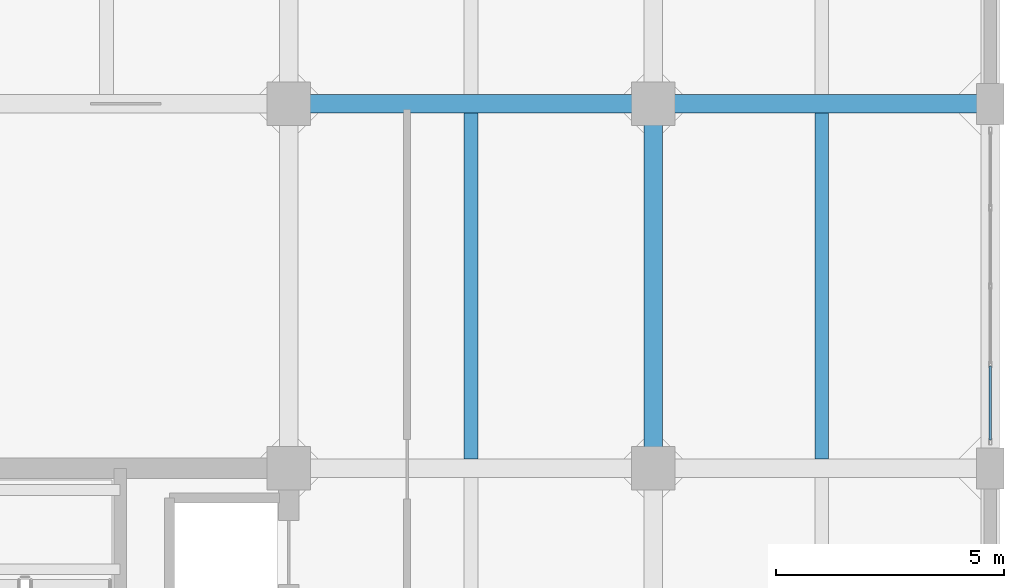
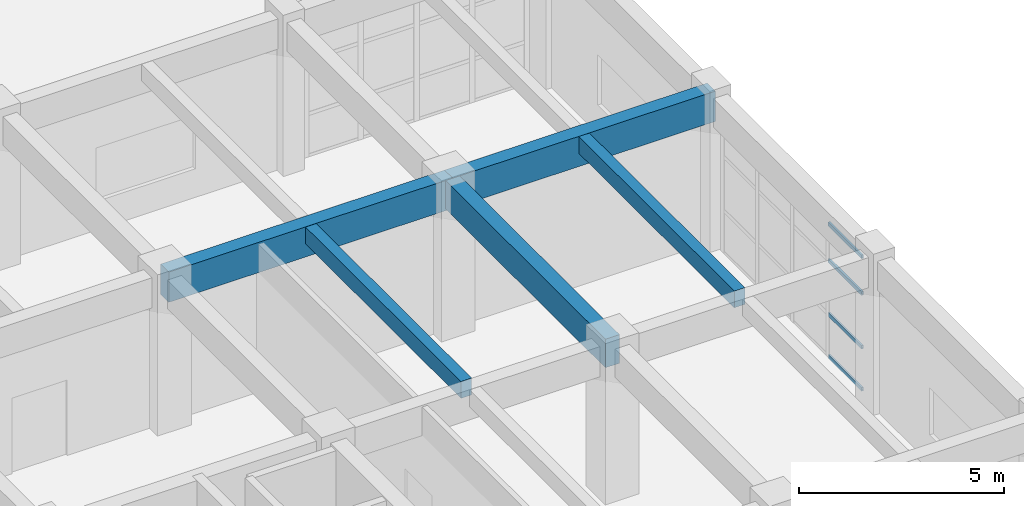
# One storey, part 37 of 63: 5 beams, 4 members, 1 element without a shape of its own.
"""IFC4 building model written with IfcOpenShell, lengths in metres."""

from ifc_helpers import new_model, si_unit, direction, frame, origin, origin_2d, place, context, subcontext, project, spatial, rectangle, hollow_rectangle, extrude, material, layer, layer_set, material_profile, profile_set, type_object, element, aggregate, save


model = new_model("IFC4")

# Units and contexts
model_context = context("Model", 3, precision=1e-05, world=origin(), true_north=direction((0.0, 1.0)))
body_context = subcontext(model_context, "Body", "Model", "MODEL_VIEW")
ifc_project = project(units=[si_unit("LENGTHUNIT", "METRE"), si_unit("AREAUNIT", "SQUARE_METRE"), si_unit("VOLUMEUNIT", "CUBIC_METRE"), si_unit("PLANEANGLEUNIT", "RADIAN"), si_unit("MASSUNIT", "GRAM", prefix="KILO")], contexts=[model_context])

# Site, building, storey
site_placement = place(None, origin())
site = spatial("IfcSite", under=ifc_project, at=site_placement, CompositionType="ELEMENT")
building_placement = place(site_placement, origin())
building = spatial("IfcBuilding", under=site, at=building_placement, Name="Canggui Botanical Conservatory", CompositionType="ELEMENT")
storey_placement = place(building_placement, frame((0.0, 0.0, 10.199951171875)))
storey = spatial("IfcBuildingStorey", under=building, at=storey_placement, Name="L03", CompositionType="ELEMENT", Elevation=10.199951171875)

# Beams
ifc_material_1 = material(Name="Concrete C35", Category="concrete")
ifc_material_profile_1 = material_profile(ifc_material_1, rectangle(XDim=0.300048828125, YDim=0.5, at=origin_2d()), Name="RB 300x500")
ifc_profile_set_1 = profile_set([ifc_material_profile_1], Name="Concrete C35")
beam_type_1 = type_object("IfcBeamType", Name="BM-JST02", PredefinedType="JOIST", material=ifc_profile_set_1)
for number, where, z_axis, x_axis, name in (
    (1, (166.0, 66.205078125, 4.300048828125), (0.0, 1.0, 0.0), (-1.0, 0.0, 0.0), "Secondary Floor Joist L03-4-6"),
    (2, (173.699951171875, 66.205078125, 4.300048828125), (0.0, 1.0, 0.0), (-1.0, 0.0, 0.0), "Secondary Floor Joist L03-5-6"),
):
    element("IfcBeam", number, at=place(storey_placement, frame(where, z_axis=z_axis, x_axis=x_axis)), inside=storey, type_object=beam_type_1, Name=name, PredefinedType="JOIST", context=body_context, shape_type="SweptSolid", body=[
        extrude(rectangle(XDim=0.300048828125, YDim=0.5, at=origin_2d()), origin(), (0.0, 0.0, 1.0), 7.58984375),
    ])
ifc_material_profile_2 = material_profile(ifc_material_1, rectangle(XDim=0.39990234375, YDim=0.89990234375, at=origin_2d()), Name="RB 400x900")
ifc_profile_set_2 = profile_set([ifc_material_profile_2], Name="Concrete C35")
beam_type_2 = type_object("IfcBeamType", Name="BM-KL07", PredefinedType="BEAM", material=ifc_profile_set_2)
beam_1_placement = place(storey_placement, frame((162.0, 74.0, 4.10009765625), z_axis=(1.0, 0.0, 0.0), x_axis=(0.0, 1.0, 0.0)))
element("IfcBeam", 3, at=beam_1_placement, inside=storey, type_object=beam_type_2, Name="Frame Girder L03 Y74-4", PredefinedType="BEAM", context=body_context, shape_type="SweptSolid", body=[
    extrude(rectangle(XDim=0.39990234375, YDim=0.89990234375, at=origin_2d()), origin(), (0.0, 0.0, 1.0), 8.0),
])
beam_2_placement = place(storey_placement, frame((170.0, 74.0, 4.10009765625), z_axis=(1.0, 0.0, 0.0), x_axis=(0.0, 1.0, 0.0)))
element("IfcBeam", 4, at=beam_2_placement, inside=storey, type_object=beam_type_2, Name="Frame Girder L03 Y74-5", PredefinedType="BEAM", context=body_context, shape_type="SweptSolid", body=[
    extrude(rectangle(XDim=0.39990234375, YDim=0.89990234375, at=origin_2d()), origin(), (0.0, 0.0, 1.0), 7.39990234375),
])
ifc_material_profile_3 = material_profile(ifc_material_1, rectangle(XDim=0.39990234375, YDim=0.85009765625, at=origin_2d()), Name="RB 400x850")
ifc_profile_set_3 = profile_set([ifc_material_profile_3], Name="Concrete C35")
beam_type_3 = type_object("IfcBeamType", Name="BM-KL08", PredefinedType="BEAM", material=ifc_profile_set_3)
beam_3_placement = place(storey_placement, frame((170.0, 66.0, 4.125), z_axis=(0.0, 1.0, 0.0), x_axis=(-1.0, 0.0, 0.0)))
element("IfcBeam", 5, at=beam_3_placement, inside=storey, type_object=beam_type_3, Name="Frame Girder L03 X170-6", PredefinedType="BEAM", context=body_context, shape_type="SweptSolid", body=[
    extrude(rectangle(XDim=0.39990234375, YDim=0.85009765625, at=origin_2d()), origin(), (0.0, 0.0, 1.0), 8.0),
])

# Curtain wall, members
ifc_material_2 = material(Name="Thermally Broken Aluminium", Category="aluminium")
ifc_layer = layer(ifc_material_2, 0.14990234375, Name="Thermally Broken Aluminium", Category="aluminium")
ifc_layer_set = layer_set([ifc_layer], Name="Thermally Broken Aluminium")
curtain_wall_type = type_object("IfcCurtainWallType", Name="CW-UNIT-C", PredefinedType="USERDEFINED", material=ifc_layer_set)
curtain_wall_placement = place(storey_placement, origin())
curtain_wall = element("IfcCurtainWall", 6, at=curtain_wall_placement, inside=storey, type_object=curtain_wall_type, Name="Facade Curtain Wall CW-TWR-L03-21", ObjectType="UNITISED CURTAIN WALL", PredefinedType="USERDEFINED")
ifc_material_profile_4 = material_profile(ifc_material_2, hollow_rectangle(XDim=0.054931640625, YDim=0.110107421875, WallThickness=0.0029296875, at=origin_2d()), Name="CWT 55x110x3")
ifc_profile_set_4 = profile_set([ifc_material_profile_4], Name="Thermally Broken Aluminium")
member_type = type_object("IfcMemberType", Name="CWT-03", PredefinedType="USERDEFINED", material=ifc_profile_set_4)
member_1_placement = place(storey_placement, frame((177.39990234375, 68.25, 0.027587890625), z_axis=(0.0, -1.0, 0.0), x_axis=(1.0, 0.0, 0.0)))
member_1 = element("IfcMember", 7, at=member_1_placement, type_object=member_type, Name="CW-03 transom 4.1", ObjectType="TRANSOM", PredefinedType="USERDEFINED", context=body_context, shape_type="SweptSolid", body=[
    extrude(hollow_rectangle(XDim=0.054931640625, YDim=0.110107421875, WallThickness=0.0029296875, at=origin_2d()), origin(), (0.0, 0.0, 1.0), 1.6298828125),
])
member_2_placement = place(storey_placement, frame((177.39990234375, 68.25, 1.280029296875), z_axis=(0.0, -1.0, 0.0), x_axis=(1.0, 0.0, 0.0)))
member_2 = element("IfcMember", 8, at=member_2_placement, type_object=member_type, Name="CW-03 transom 4.2", ObjectType="TRANSOM", PredefinedType="USERDEFINED", context=body_context, shape_type="SweptSolid", body=[
    extrude(hollow_rectangle(XDim=0.054931640625, YDim=0.110107421875, WallThickness=0.0029296875, at=origin_2d()), origin(), (0.0, 0.0, 1.0), 1.6298828125),
])
member_3_placement = place(storey_placement, frame((177.39990234375, 68.25, 2.880126953125), z_axis=(0.0, -1.0, 0.0), x_axis=(1.0, 0.0, 0.0)))
member_3 = element("IfcMember", 9, at=member_3_placement, type_object=member_type, Name="CW-03 transom 4.3", ObjectType="TRANSOM", PredefinedType="USERDEFINED", context=body_context, shape_type="SweptSolid", body=[
    extrude(hollow_rectangle(XDim=0.054931640625, YDim=0.110107421875, WallThickness=0.0029296875, at=origin_2d()), origin(), (0.0, 0.0, 1.0), 1.6298828125),
])
member_4_placement = place(storey_placement, frame((177.39990234375, 68.25, 3.97265625), z_axis=(0.0, -1.0, 0.0), x_axis=(1.0, 0.0, 0.0)))
member_4 = element("IfcMember", 10, at=member_4_placement, type_object=member_type, Name="CW-03 transom 4.4", ObjectType="TRANSOM", PredefinedType="USERDEFINED", context=body_context, shape_type="SweptSolid", body=[
    extrude(hollow_rectangle(XDim=0.054931640625, YDim=0.110107421875, WallThickness=0.0029296875, at=origin_2d()), origin(), (0.0, 0.0, 1.0), 1.6298828125),
])
aggregate(curtain_wall, [member_1, member_2, member_3, member_4])

save(model, "model.ifc")
